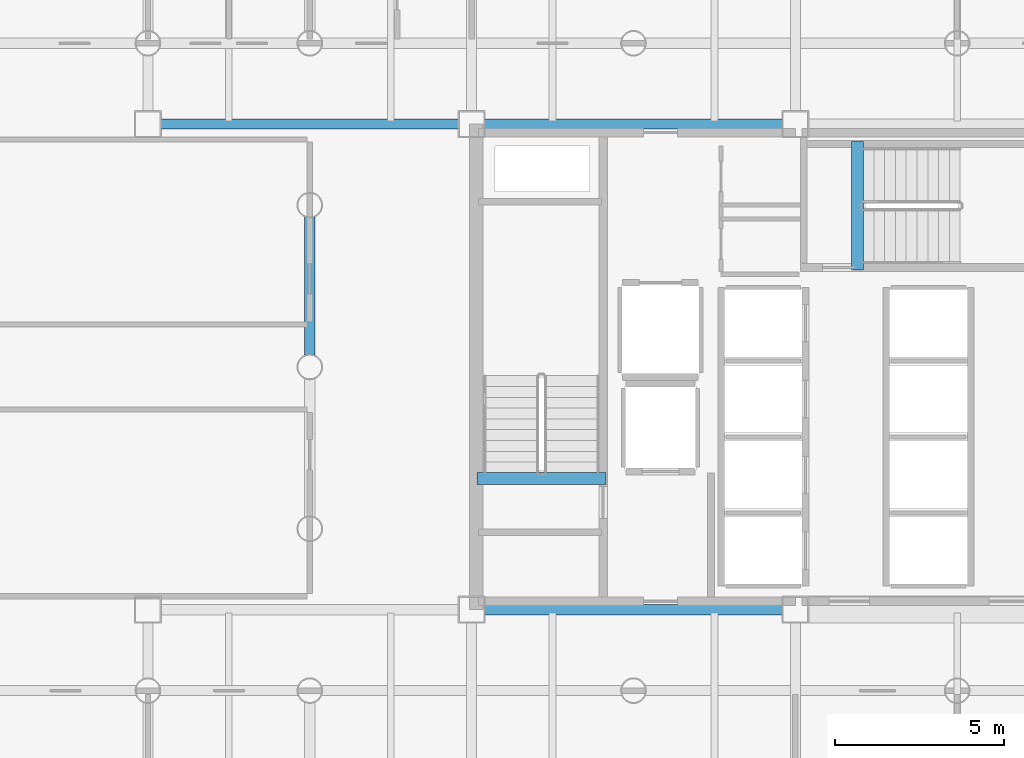
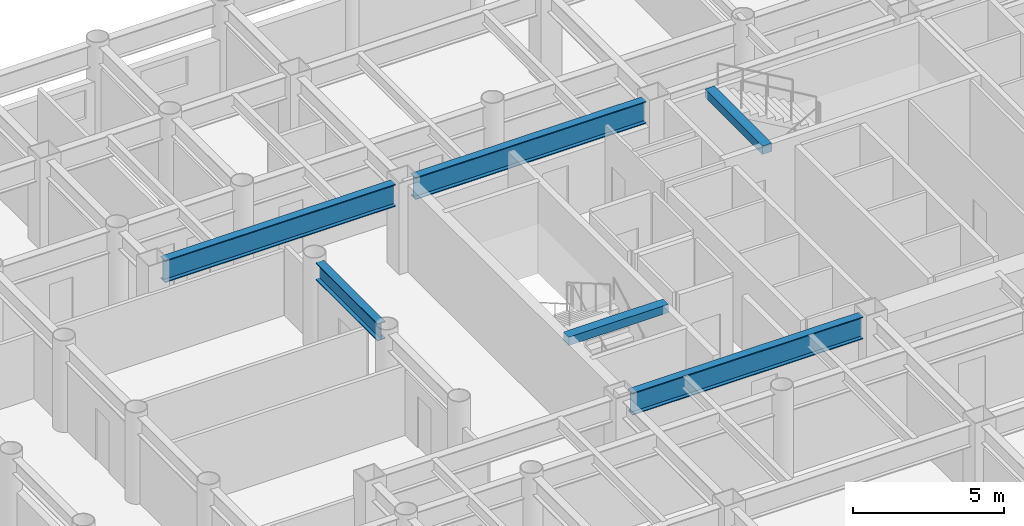
# One storey, part 5 of 21: 6 beams.
"""IFC4 building model written with IfcOpenShell, lengths in metres."""

from ifc_helpers import new_model, si_unit, direction, frame, origin, origin_2d, place, context, subcontext, project, spatial, rectangle, i_section, extrude, material, material_profile, profile_set, type_object, element, save


model = new_model("IFC4")

# Units and contexts
model_context = context("Model", 3, precision=1e-05, world=origin(), true_north=direction((0.0, 1.0)))
body_context = subcontext(model_context, "Body", "Model", "MODEL_VIEW")
ifc_project = project(units=[si_unit("LENGTHUNIT", "METRE"), si_unit("AREAUNIT", "SQUARE_METRE"), si_unit("VOLUMEUNIT", "CUBIC_METRE"), si_unit("PLANEANGLEUNIT", "RADIAN"), si_unit("MASSUNIT", "GRAM", prefix="KILO")], contexts=[model_context])

# Site, building, storey
site_placement = place(None, origin())
site = spatial("IfcSite", under=ifc_project, at=site_placement, CompositionType="ELEMENT")
building_placement = place(site_placement, origin())
building = spatial("IfcBuilding", under=site, at=building_placement, Name="Kallvorn Hotel Tower", CompositionType="ELEMENT")
storey_placement = place(building_placement, frame((0.0, 0.0, 41.10009765625)))
storey = spatial("IfcBuildingStorey", under=building, at=storey_placement, Name="L08", CompositionType="ELEMENT", Elevation=41.10009765625)

# Beams
ifc_material_1 = material(Name="Structural steel S355JR", Category="steel")
ifc_material_profile_1 = material_profile(ifc_material_1, i_section(OverallWidth=0.300048828125, OverallDepth=0.699951171875, WebThickness=0.01708984375, FlangeThickness=0.031982421875, at=origin_2d()), Name="HE 700 B")
ifc_profile_set_1 = profile_set([ifc_material_profile_1], Name="Structural steel S355JR")
beam_type_1 = type_object("IfcBeamType", Name="BM_HE700B", PredefinedType="BEAM", material=ifc_profile_set_1)
beam_1_placement = place(storey_placement, frame((-19.199951171875, 0.35595703125, 3.169921875), z_axis=(0.0, 1.0, 0.0), x_axis=(-1.0, 0.0, 0.0)))
element("IfcBeam", 1, at=beam_1_placement, inside=storey, type_object=beam_type_1, Name="L09 Primary Y-Girder 94", PredefinedType="BEAM", context=body_context, shape_type="SweptSolid", body=[
    extrude(i_section(OverallWidth=0.300048828125, OverallDepth=0.699951171875, WebThickness=0.01708984375, FlangeThickness=0.031982421875, at=origin_2d()), origin(), (0.0, 0.0, 1.0), 4.088134765625),
])
ifc_material_2 = material(Name="Structural steel S355JR", Category="steel")
ifc_material_profile_2 = material_profile(ifc_material_2, i_section(OverallWidth=0.300048828125, OverallDepth=0.89990234375, WebThickness=0.0185546875, FlangeThickness=0.034912109375, at=origin_2d()), Name="HE 900 B")
ifc_profile_set_2 = profile_set([ifc_material_profile_2], Name="Structural steel S355JR")
beam_type_2 = type_object("IfcBeamType", Name="BM_HE900B", PredefinedType="BEAM", material=ifc_profile_set_2)
beam_2_placement = place(storey_placement, frame((-14.02490234375, -7.199951171875, 3.06982421875), z_axis=(1.0, 0.0, 0.0), x_axis=(0.0, 1.0, 0.0)))
element("IfcBeam", 2, at=beam_2_placement, inside=storey, type_object=beam_type_2, Name="L09 Primary X-Girder 34", PredefinedType="BEAM", context=body_context, shape_type="SweptSolid", body=[
    extrude(i_section(OverallWidth=0.300048828125, OverallDepth=0.89990234375, WebThickness=0.0185546875, FlangeThickness=0.034912109375, at=origin_2d()), origin(), (0.0, 0.0, 1.0), 8.849853515625),
])
beam_3_placement = place(storey_placement, frame((-23.625, 7.199951171875, 3.06982421875), z_axis=(1.0, 0.0, 0.0), x_axis=(0.0, 1.0, 0.0)))
element("IfcBeam", 3, at=beam_3_placement, inside=storey, type_object=beam_type_2, Name="L09 Primary X-Girder 37", PredefinedType="BEAM", context=body_context, shape_type="SweptSolid", body=[
    extrude(i_section(OverallWidth=0.300048828125, OverallDepth=0.89990234375, WebThickness=0.0185546875, FlangeThickness=0.034912109375, at=origin_2d()), origin(), (0.0, 0.0, 1.0), 8.85009765625),
])
beam_4_placement = place(storey_placement, frame((-14.02490234375, 7.199951171875, 3.06982421875), z_axis=(1.0, 0.0, 0.0), x_axis=(0.0, 1.0, 0.0)))
element("IfcBeam", 4, at=beam_4_placement, inside=storey, type_object=beam_type_2, Name="L09 Primary X-Girder 38", PredefinedType="BEAM", context=body_context, shape_type="SweptSolid", body=[
    extrude(i_section(OverallWidth=0.300048828125, OverallDepth=0.89990234375, WebThickness=0.0185546875, FlangeThickness=0.034912109375, at=origin_2d()), origin(), (0.0, 0.0, 1.0), 8.849853515625),
])
ifc_material_3 = material(Name="Concrete C50/60", Category="concrete")
ifc_material_profile_3 = material_profile(ifc_material_3, rectangle(XDim=0.360107421875, YDim=0.340087890625, at=origin_2d()), Name="RC 360x340")
ifc_profile_set_3 = profile_set([ifc_material_profile_3], Name="Concrete C50/60")
beam_type_3 = type_object("IfcBeamType", Name="BM_RC_400x360", PredefinedType="BEAM", material=ifc_profile_set_3)
beam_5_placement = place(storey_placement, frame((-10.419921875, -3.31005859375, 3.349853515625), z_axis=(-1.0, 0.0, 0.0), x_axis=(0.0, -1.0, 0.0)))
element("IfcBeam", 5, at=beam_5_placement, inside=storey, type_object=beam_type_3, Name="L09 Stair ST1 Arrival Trimmer Beam", PredefinedType="BEAM", context=body_context, shape_type="SweptSolid", body=[
    extrude(rectangle(XDim=0.360107421875, YDim=0.340087890625, at=origin_2d()), origin(), (0.0, 0.0, 1.0), 3.820068359375),
])
beam_6_placement = place(storey_placement, frame((-2.9599609375, 2.8701171875, 3.349853515625), z_axis=(0.0, 1.0, 0.0), x_axis=(-1.0, 0.0, 0.0)))
element("IfcBeam", 6, at=beam_6_placement, inside=storey, type_object=beam_type_3, Name="L09 Stair ST3 Arrival Trimmer Beam", PredefinedType="BEAM", context=body_context, shape_type="SweptSolid", body=[
    extrude(rectangle(XDim=0.360107421875, YDim=0.340087890625, at=origin_2d()), origin(), (0.0, 0.0, 1.0), 3.81982421875),
])

save(model, "model.ifc")
